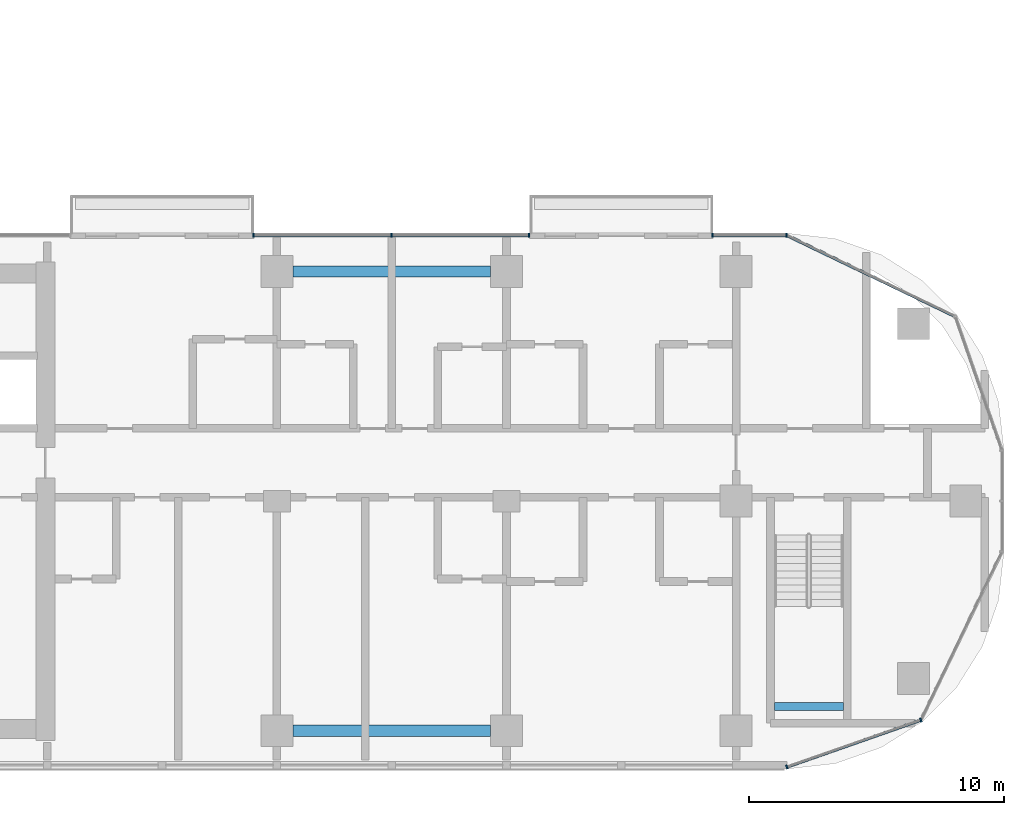
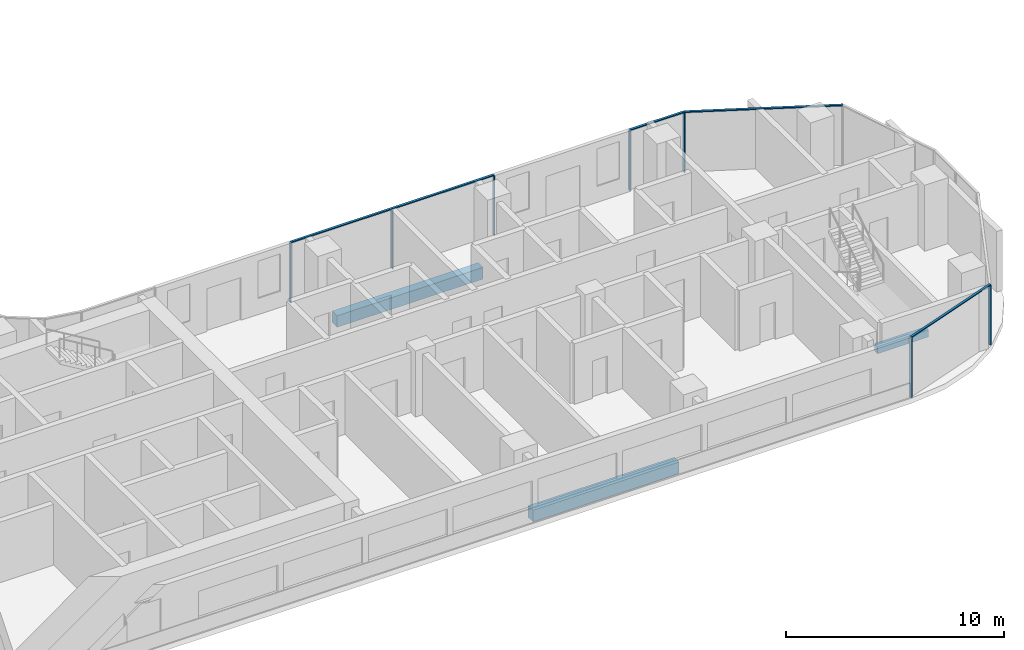
# One storey, part 3 of 21: 11 members, 3 beams, 4 elements without a shape of their own.
"""IFC4 building model written with IfcOpenShell, lengths in metres."""

from ifc_helpers import new_model, si_unit, direction, frame, origin, origin_2d, place, context, subcontext, project, spatial, rectangle, extrude, material, material_profile, profile_set, type_object, element, aggregate, save


model = new_model("IFC4")

# Units and contexts
model_context = context("Model", 3, precision=1e-05, world=origin(), true_north=direction((0.0, 1.0)))
body_context = subcontext(model_context, "Body", "Model", "MODEL_VIEW")
ifc_project = project(units=[si_unit("LENGTHUNIT", "METRE"), si_unit("AREAUNIT", "SQUARE_METRE"), si_unit("VOLUMEUNIT", "CUBIC_METRE"), si_unit("PLANEANGLEUNIT", "RADIAN"), si_unit("MASSUNIT", "GRAM", prefix="KILO")], contexts=[model_context])

# Site, building, storey
site_placement = place(None, origin())
site = spatial("IfcSite", under=ifc_project, at=site_placement, CompositionType="ELEMENT")
building_placement = place(site_placement, origin())
building = spatial("IfcBuilding", under=site, at=building_placement, Name="Ogive Portal Towers", CompositionType="ELEMENT")
storey_placement = place(building_placement, frame((0.0, 0.0, 109.300048828125)))
storey = spatial("IfcBuildingStorey", under=building, at=storey_placement, Name="L26", CompositionType="ELEMENT", Elevation=109.300048828125)

# Beam
ifc_material_1 = material(Name="Concrete C40/50", Category="concrete")
ifc_material_profile_1 = material_profile(ifc_material_1, rectangle(XDim=0.300048828125, YDim=0.39990234375, at=origin_2d()), Name="RC 300x400")
ifc_profile_set_1 = profile_set([ifc_material_profile_1], Name="Concrete C40/50")
beam_type_1 = type_object("IfcBeamType", Name="BEAM RC 300x400", PredefinedType="BEAM", material=ifc_profile_set_1)
beam_placement = place(storey_placement, frame((87.0, 22.449951171875, 1.449951171875), z_axis=(1.0, 0.0, 0.0), x_axis=(0.0, 1.0, 0.0)))
element("IfcBeam", 1, at=beam_placement, inside=storey, type_object=beam_type_1, Name="Landing beam L26", PredefinedType="BEAM", context=body_context, shape_type="SweptSolid", body=[
    extrude(rectangle(XDim=0.300048828125, YDim=0.39990234375, at=origin_2d()), origin(), (0.0, 0.0, 1.0), 2.699951171875),
])

# Curtain wall, members
ifc_material_2 = material(Name="Glass, clear low-iron insulated glazing", Category="glass")
curtain_wall_type = type_object("IfcCurtainWallType", Name="CW FRONT RIBBON 4500", PredefinedType="NOTDEFINED", material=ifc_material_2)
curtain_wall_1_placement = place(storey_placement, origin())
curtain_wall_1 = element("IfcCurtainWall", 2, at=curtain_wall_1_placement, inside=storey, type_object=curtain_wall_type, Name="A:L26:f12:cw0", PredefinedType="NOTDEFINED")
ifc_material_3 = material(Name="Aluminium 6063 anodised", Category="aluminium")
ifc_material_profile_2 = material_profile(ifc_material_3, rectangle(XDim=0.159912109375, YDim=0.06005859375, at=origin_2d()), Name="AL 60x160")
ifc_profile_set_2 = profile_set([ifc_material_profile_2], Name="Aluminium 6063 anodised")
member_type_1 = type_object("IfcMemberType", Name="CW MULLION 60x160", PredefinedType="MULLION", material=ifc_profile_set_2)
member_1_placement = place(storey_placement, frame((87.481689453125, 40.919921875, 0.0), z_axis=(0.0, 0.0, 1.0), x_axis=(0.0, -1.0, 0.0)))
member_1 = element("IfcMember", 3, at=member_1_placement, type_object=member_type_1, Name="mullion", PredefinedType="MULLION", context=body_context, shape_type="SweptSolid", body=[
    extrude(rectangle(XDim=0.159912109375, YDim=0.06005859375, at=origin_2d()), origin(), (0.0, 0.0, 1.0), 3.33984375),
])
member_2_placement = place(storey_placement, frame((84.582763671875, 40.919921875, 0.0), z_axis=(0.0, 0.0, 1.0), x_axis=(0.0, -1.0, 0.0)))
member_2 = element("IfcMember", 4, at=member_2_placement, type_object=member_type_1, Name="mullion", PredefinedType="MULLION", context=body_context, shape_type="SweptSolid", body=[
    extrude(rectangle(XDim=0.159912109375, YDim=0.06005859375, at=origin_2d()), origin(), (0.0, 0.0, 1.0), 3.33984375),
])

curtain_wall_2_placement = place(storey_placement, origin())
curtain_wall_2 = element("IfcCurtainWall", 5, at=curtain_wall_2_placement, inside=storey, type_object=curtain_wall_type, Name="A:L26:f12:cw1", PredefinedType="NOTDEFINED")
member_3_placement = place(storey_placement, frame((77.385009765625, 40.919921875, 0.0), z_axis=(0.0, 0.0, 1.0), x_axis=(0.0, -1.0, 0.0)))
member_3 = element("IfcMember", 6, at=member_3_placement, type_object=member_type_1, Name="mullion", PredefinedType="MULLION", context=body_context, shape_type="SweptSolid", body=[
    extrude(rectangle(XDim=0.159912109375, YDim=0.06005859375, at=origin_2d()), origin(), (0.0, 0.0, 1.0), 3.33984375),
])
member_4_placement = place(storey_placement, frame((72.0, 40.919921875, 0.0), z_axis=(0.0, 0.0, 1.0), x_axis=(0.0, -1.0, 0.0)))
member_4 = element("IfcMember", 7, at=member_4_placement, type_object=member_type_1, Name="mullion", PredefinedType="MULLION", context=body_context, shape_type="SweptSolid", body=[
    extrude(rectangle(XDim=0.159912109375, YDim=0.06005859375, at=origin_2d()), origin(), (0.0, 0.0, 1.0), 3.33984375),
])
member_5_placement = place(storey_placement, frame((66.588623046875, 40.919921875, 0.0), z_axis=(0.0, 0.0, 1.0), x_axis=(0.0, -1.0, 0.0)))
member_5 = element("IfcMember", 8, at=member_5_placement, type_object=member_type_1, Name="mullion", PredefinedType="MULLION", context=body_context, shape_type="SweptSolid", body=[
    extrude(rectangle(XDim=0.159912109375, YDim=0.06005859375, at=origin_2d()), origin(), (0.0, 0.0, 1.0), 3.33984375),
])

curtain_wall_3_placement = place(storey_placement, origin())
curtain_wall_3 = element("IfcCurtainWall", 9, at=curtain_wall_3_placement, inside=storey, type_object=curtain_wall_type, Name="A:L26:f07:cwa", PredefinedType="NOTDEFINED")
member_6_placement = place(storey_placement, frame((87.486328125, 20.080078125, 0.0), z_axis=(0.0, 0.0, 1.0), x_axis=(-0.33027906196, 0.943883330307, 0.0)))
member_6 = element("IfcMember", 10, at=member_6_placement, type_object=member_type_1, Name="mullion", PredefinedType="MULLION", context=body_context, shape_type="SweptSolid", body=[
    extrude(rectangle(XDim=0.159912109375, YDim=0.06005859375, at=origin_2d()), origin(), (0.0, 0.0, 1.0), 3.33984375),
])
member_7_placement = place(storey_placement, frame((92.741943359375, 21.9189453125, 0.0), z_axis=(0.0, 0.0, 1.0), x_axis=(-0.33027906196, 0.943883330307, 0.0)))
member_7 = element("IfcMember", 11, at=member_7_placement, type_object=member_type_1, Name="mullion", PredefinedType="MULLION", context=body_context, shape_type="SweptSolid", body=[
    extrude(rectangle(XDim=0.159912109375, YDim=0.06005859375, at=origin_2d()), origin(), (0.0, 0.0, 1.0), 3.33984375),
])

# Member
ifc_material_profile_3 = material_profile(ifc_material_3, rectangle(XDim=0.1201171875, YDim=0.06005859375, at=origin_2d()), Name="AL 120x60")
ifc_profile_set_3 = profile_set([ifc_material_profile_3], Name="Aluminium 6063 anodised")
member_type_2 = type_object("IfcMemberType", Name="CW TRANSOM 60x120", PredefinedType="USERDEFINED", material=ifc_profile_set_3)
member_8_placement = place(storey_placement, frame((87.481689453125, 40.919921875, 3.369873046875), z_axis=(-1.0, 0.0, 0.0), x_axis=(0.0, -1.0, 0.0)))
member_8 = element("IfcMember", 12, at=member_8_placement, type_object=member_type_2, Name="transom", ObjectType="TRANSOM", PredefinedType="USERDEFINED", context=body_context, shape_type="SweptSolid", body=[
    extrude(rectangle(XDim=0.1201171875, YDim=0.06005859375, at=origin_2d()), origin(), (0.0, 0.0, 1.0), 2.89892578125),
])

aggregate(curtain_wall_1, [member_8, member_1, member_2])

member_9_placement = place(storey_placement, frame((77.385009765625, 40.919921875, 3.369873046875), z_axis=(-1.0, 0.0, 0.0), x_axis=(0.0, -1.0, 0.0)))
member_9 = element("IfcMember", 13, at=member_9_placement, type_object=member_type_2, Name="transom", ObjectType="TRANSOM", PredefinedType="USERDEFINED", context=body_context, shape_type="SweptSolid", body=[
    extrude(rectangle(XDim=0.1201171875, YDim=0.06005859375, at=origin_2d()), origin(), (0.0, 0.0, 1.0), 10.79638671875),
])

aggregate(curtain_wall_2, [member_9, member_3, member_4, member_5])

member_10_placement = place(storey_placement, frame((87.486328125, 20.080078125, 3.369873046875), z_axis=(0.943891847017, 0.330254721593, 0.0), x_axis=(-0.330254721593, 0.943891847017, 0.0)))
member_10 = element("IfcMember", 14, at=member_10_placement, type_object=member_type_2, Name="transom", ObjectType="TRANSOM", PredefinedType="USERDEFINED", context=body_context, shape_type="SweptSolid", body=[
    extrude(rectangle(XDim=0.1201171875, YDim=0.06005859375, at=origin_2d()), origin(), (0.0, 0.0, 1.0), 5.568115234375),
])

aggregate(curtain_wall_3, [member_10, member_6, member_7])

# Curtain wall, member
curtain_wall_4_placement = place(storey_placement, origin())
curtain_wall_4 = element("IfcCurtainWall", 15, at=curtain_wall_4_placement, inside=storey, type_object=curtain_wall_type, Name="A:L26:f10:cwa", PredefinedType="NOTDEFINED")
member_11_placement = place(storey_placement, frame((94.0810546875, 37.741943359375, 3.369873046875), z_axis=(-0.900974646757, 0.433871738997, 0.0), x_axis=(-0.433871738997, -0.900974646757, 0.0)))
member_11 = element("IfcMember", 16, at=member_11_placement, type_object=member_type_2, Name="transom", ObjectType="TRANSOM", PredefinedType="USERDEFINED", context=body_context, shape_type="SweptSolid", body=[
    extrude(rectangle(XDim=0.1201171875, YDim=0.06005859375, at=origin_2d()), origin(), (0.0, 0.0, 1.0), 7.32470703125),
])
aggregate(curtain_wall_4, [member_11])

# Beams
ifc_material_4 = material(Name="Concrete C50/60", Category="concrete")
ifc_material_profile_4 = material_profile(ifc_material_4, rectangle(XDim=0.449951171875, YDim=0.64990234375, at=origin_2d()), Name="RC 450x650")
ifc_profile_set_4 = profile_set([ifc_material_profile_4], Name="Concrete C50/60")
beam_type_2 = type_object("IfcBeamType", Name="SPANDREL BEAM RC 450x650", PredefinedType="BEAM", material=ifc_profile_set_4)
for number, where, z_axis, x_axis, name in (
    (17, (68.125, 39.5, -0.625), (1.0, 0.0, 0.0), (0.0, 1.0, 0.0), "Spandrel beam L26"),
    (18, (75.875, 21.5, -0.625), (-1.0, 0.0, 0.0), (0.0, -1.0, 0.0), "Spandrel beam L26"),
):
    element("IfcBeam", number, at=place(storey_placement, frame(where, z_axis=z_axis, x_axis=x_axis)), inside=storey, type_object=beam_type_2, Name=name, PredefinedType="BEAM", context=body_context, shape_type="SweptSolid", body=[
        extrude(rectangle(XDim=0.449951171875, YDim=0.64990234375, at=origin_2d()), origin(), (0.0, 0.0, 1.0), 7.75),
    ])

save(model, "model.ifc")
